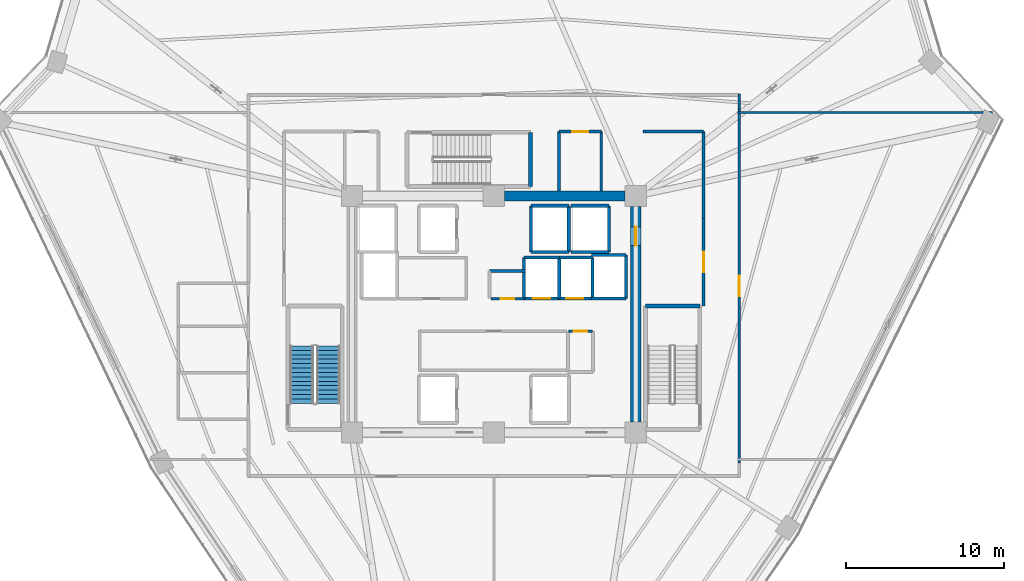
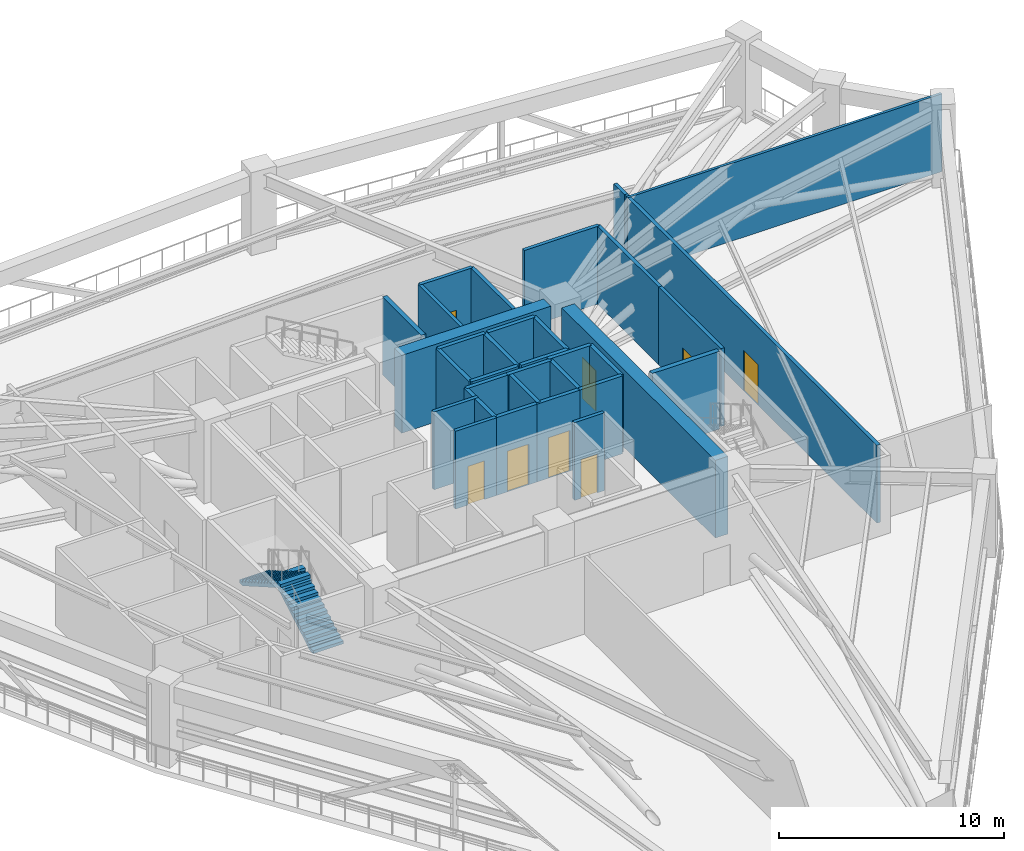
# One storey, part 16 of 22: 33 walls, 8 doors, 2 stair flights, 8 openings, 1 element without a shape of its own.
"""IFC4 building model written with IfcOpenShell, lengths in metres."""

from ifc_helpers import new_model, si_unit, direction, frame, frame_2d, origin, place, context, subcontext, project, spatial, polyline, rectangle, outline, extrude, source, transform, mapped, material, layer, layer_set, type_object, element, fill, aggregate, save


model = new_model("IFC4")

# Units and contexts
model_context = context("Model", 3, precision=1e-05, world=origin(), true_north=direction((0.0, 1.0)))
body_context = subcontext(model_context, "Body", "Model", "MODEL_VIEW")
ifc_project = project(units=[si_unit("LENGTHUNIT", "METRE"), si_unit("AREAUNIT", "SQUARE_METRE"), si_unit("VOLUMEUNIT", "CUBIC_METRE"), si_unit("PLANEANGLEUNIT", "RADIAN"), si_unit("MASSUNIT", "GRAM", prefix="KILO")], contexts=[model_context])

# Site, building, storey
site_placement = place(None, origin())
site = spatial("IfcSite", under=ifc_project, at=site_placement, CompositionType="ELEMENT")
building_placement = place(site_placement, origin())
building = spatial("IfcBuilding", under=site, at=building_placement, Name="Liaohun Quay Tower", CompositionType="ELEMENT")
storey_placement = place(building_placement, frame((0.0, 0.0, 277.5)))
storey = spatial("IfcBuildingStorey", under=building, at=storey_placement, Name="L72", CompositionType="ELEMENT", Elevation=277.5)

# Wall
ifc_material_1 = material(Name="Concrete C55", Category="concrete")
ifc_layer_1 = layer(ifc_material_1, 0.64990234375, Name="Concrete C55", Category="concrete")
ifc_layer_set_1 = layer_set([ifc_layer_1], Name="Concrete C55")
wall_type_1 = type_object("IfcWallType", Name="WAL-COR-Z3", PredefinedType="SHEAR", material=ifc_layer_set_1)
wall_1_placement = place(storey_placement, frame((60.675048828125, 61.5, 0.0), z_axis=(0.0, 0.0, 1.0), x_axis=(1.0, 0.0, 0.0)))
element("IfcWall", 1, at=wall_1_placement, inside=storey, type_object=wall_type_1, Name="L72 Central Core Shear Wall N-E", PredefinedType="SHEAR", context=body_context, shape_type="SweptSolid", body=[
    extrude(rectangle(XDim=7.64990234375, YDim=0.64990234375, at=frame_2d((3.824951171875, 0.0))), origin(), (0.0, 0.0, 1.0), 4.219970703125),
])

# Wall, opening, door
wall_2_placement = place(storey_placement, frame((69.0, 60.824951171875, 0.0), z_axis=(0.0, 0.0, 1.0), x_axis=(0.0, -1.0, 0.0)))
wall_2 = element("IfcWall", 2, at=wall_2_placement, inside=storey, type_object=wall_type_1, Name="L72 Central Core Shear Wall E", PredefinedType="SHEAR", context=body_context, shape_type="SweptSolid", body=[
    extrude(rectangle(XDim=13.64990234375, YDim=0.64990234375, at=frame_2d((6.824951171875, 0.0))), origin(), (0.0, 0.0, 1.0), 4.219970703125),
])
shared_shape_1 = source(origin(), body_context, "Body", "SweptSolid", [
    extrude(rectangle(XDim=1.199951171875, YDim=2.199951171875, at=frame_2d((0.60009765625, 1.10009765625))), frame((0.0, 0.3349609375, 0.0), z_axis=(0.0, -1.0, 0.0), x_axis=(1.0, 0.0, 0.0)), (0.0, 0.0, 1.0), 0.669921875),
])
opening_1_placement = place(wall_2_placement, frame((1.27490234375, 0.0, 0.0)))
opening_1 = element("IfcOpeningElement", 3, at=opening_1_placement, cuts=wall_2, Name="Opening SD1", PredefinedType="OPENING", context=body_context, shape_type="MappedRepresentation", body=[
    mapped(shared_shape_1, transform((0.0, 0.0, 0.0), x_axis=(1.0, 0.0, 0.0), y_axis=(0.0, 1.0, 0.0), z_axis=(0.0, 0.0, 1.0), scale=1.0)),
])
ifc_material_2 = material(Name="Galvanised steel fire door", Category="steel")
door_type_1 = type_object("IfcDoorType", Name="DOR-STR-1200", OperationType="NOTDEFINED", PredefinedType="DOOR", material=ifc_material_2)
shared_shape_2 = source(origin(), body_context, "Body", "SweptSolid", [
    extrude(rectangle(XDim=1.199951171875, YDim=2.199951171875, at=frame_2d((0.60009765625, 1.10009765625))), frame((0.0, 0.02490234375, 0.0), z_axis=(0.0, -1.0, 0.0), x_axis=(1.0, 0.0, 0.0)), (0.0, 0.0, 1.0), 0.050048828125),
])
door_1_placement = place(opening_1_placement, origin())
door_1 = element("IfcDoor", 4, at=door_1_placement, inside=storey, type_object=door_type_1, Name="L72 North-East Core Lobby Smokeproof Door", OperationType="SINGLE_SWING_LEFT", OverallHeight=2.199951171875, OverallWidth=1.199951171875, PredefinedType="DOOR", context=body_context, shape_type="MappedRepresentation", body=[
    mapped(shared_shape_2, transform((0.0, 0.0, 0.0), x_axis=(1.0, 0.0, 0.0), y_axis=(0.0, 1.0, 0.0), z_axis=(0.0, 0.0, 1.0), scale=1.0)),
])
fill(opening_1, door_1)

ifc_material_3 = material(Name="Autoclaved aerated concrete blockwork", Category="masonry")
ifc_layer_2 = layer(ifc_material_3, 0.179931640625, Name="Autoclaved aerated concrete blockwork", Category="masonry")
ifc_layer_set_2 = layer_set([ifc_layer_2], Name="Autoclaved aerated concrete blockwork")
wall_type_2 = type_object("IfcWallType", Name="WAL-PRT-COR", PredefinedType="PARTITIONING", material=ifc_layer_set_2)
wall_3_placement = place(storey_placement, frame((59.81005859375, 54.97998046875, 0.0), z_axis=(0.0, 0.0, 1.0), x_axis=(1.0, 0.0, 0.0)))
wall_3 = element("IfcWall", 5, at=wall_3_placement, inside=storey, type_object=wall_type_2, Name="L72 Interior Partition Wall 003", PredefinedType="PARTITIONING", context=body_context, shape_type="SweptSolid", body=[
    extrude(rectangle(XDim=2.08984375, YDim=0.179931640625, at=frame_2d((1.044921875, 0.0))), origin(), (0.0, 0.0, 1.0), 4.219970703125),
])
shared_shape_3 = source(origin(), body_context, "Body", "SweptSolid", [
    extrude(rectangle(XDim=0.85009765625, YDim=2.10009765625, at=frame_2d((0.425048828125, 1.050048828125))), frame((0.0, 0.099853515625, 0.0), z_axis=(0.0, -1.0, 0.0), x_axis=(1.0, 0.0, 0.0)), (0.0, 0.0, 1.0), 0.199951171875),
])
opening_2_placement = place(wall_3_placement, frame((0.635009765625, 0.0, 0.0)))
opening_2 = element("IfcOpeningElement", 6, at=opening_2_placement, cuts=wall_3, Name="Opening AD1", PredefinedType="OPENING", context=body_context, shape_type="MappedRepresentation", body=[
    mapped(shared_shape_3, transform((0.0, 0.0, 0.0), x_axis=(1.0, 0.0, 0.0), y_axis=(0.0, 1.0, 0.0), z_axis=(0.0, 0.0, 1.0), scale=1.0)),
])
ifc_material_4 = material(Name="Steel riser inspection fire door", Category="steel")
door_type_2 = type_object("IfcDoorType", Name="DOR-SHF-850", OperationType="NOTDEFINED", PredefinedType="DOOR", material=ifc_material_4)
shared_shape_4 = source(origin(), body_context, "Body", "SweptSolid", [
    extrude(rectangle(XDim=0.85009765625, YDim=2.10009765625, at=frame_2d((0.425048828125, 1.050048828125))), frame((0.0, 0.02490234375, 0.0), z_axis=(0.0, -1.0, 0.0), x_axis=(1.0, 0.0, 0.0)), (0.0, 0.0, 1.0), 0.050048828125),
])
door_2_placement = place(opening_2_placement, origin())
door_2 = element("IfcDoor", 7, at=door_2_placement, inside=storey, type_object=door_type_2, Name="L72 Electrical Meter Room Door", OperationType="SINGLE_SWING_LEFT", OverallHeight=2.10009765625, OverallWidth=0.85009765625, PredefinedType="DOOR", context=body_context, shape_type="MappedRepresentation", body=[
    mapped(shared_shape_4, transform((0.0, 0.0, 0.0), x_axis=(1.0, 0.0, 0.0), y_axis=(0.0, 1.0, 0.0), z_axis=(0.0, 0.0, 1.0), scale=1.0)),
])
fill(opening_2, door_2)

wall_4_placement = place(storey_placement, frame((64.719970703125, 52.919921875, 0.0), z_axis=(0.0, 0.0, 1.0), x_axis=(1.0, 0.0, 0.0)))
wall_4 = element("IfcWall", 8, at=wall_4_placement, inside=storey, type_object=wall_type_2, Name="L72 Interior Partition Wall 004", PredefinedType="PARTITIONING", context=body_context, shape_type="SweptSolid", body=[
    extrude(rectangle(XDim=1.530029296875, YDim=0.179931640625, at=frame_2d((0.76513671875, 0.0))), origin(), (0.0, 0.0, 1.0), 4.219970703125),
])
opening_3_placement = place(wall_4_placement, frame((0.340087890625, 0.0, 0.0)))
opening_3 = element("IfcOpeningElement", 9, at=opening_3_placement, cuts=wall_4, Name="Opening AD1", PredefinedType="OPENING", context=body_context, shape_type="MappedRepresentation", body=[
    mapped(shared_shape_3, transform((0.0, 0.0, 0.0), x_axis=(1.0, 0.0, 0.0), y_axis=(0.0, 1.0, 0.0), z_axis=(0.0, 0.0, 1.0), scale=1.0)),
])
door_3_placement = place(opening_3_placement, origin())
door_3 = element("IfcDoor", 10, at=door_3_placement, inside=storey, type_object=door_type_2, Name="L72 BMS Data Riser Room Door", OperationType="SINGLE_SWING_RIGHT", OverallHeight=2.10009765625, OverallWidth=0.85009765625, PredefinedType="DOOR", context=body_context, shape_type="MappedRepresentation", body=[
    mapped(shared_shape_4, transform((0.0, 0.0, 0.0), x_axis=(1.0, 0.0, 0.0), y_axis=(0.0, 1.0, 0.0), z_axis=(0.0, 0.0, 1.0), scale=1.0)),
])
fill(opening_3, door_3)

wall_5_placement = place(storey_placement, frame((64.139892578125, 65.580078125, 0.0), z_axis=(0.0, 0.0, 1.0), x_axis=(1.0, 0.0, 0.0)))
wall_5 = element("IfcWall", 11, at=wall_5_placement, inside=storey, type_object=wall_type_2, Name="L72 Interior Partition Wall 009", PredefinedType="PARTITIONING", context=body_context, shape_type="SweptSolid", body=[
    extrude(rectangle(XDim=2.670166015625, YDim=0.179931640625, at=frame_2d((1.3349609375, 0.0))), origin(), (0.0, 0.0, 1.0), 4.219970703125),
])
shared_shape_5 = source(origin(), body_context, "Body", "SweptSolid", [
    extrude(rectangle(XDim=1.0, YDim=2.199951171875, at=frame_2d((0.5, 1.10009765625))), frame((0.0, 0.099853515625, 0.0), z_axis=(0.0, -1.0, 0.0), x_axis=(1.0, 0.0, 0.0)), (0.0, 0.0, 1.0), 0.199951171875),
])
opening_4_placement = place(wall_5_placement, frame((0.8349609375, 0.0, 0.0)))
opening_4 = element("IfcOpeningElement", 12, at=opening_4_placement, cuts=wall_5, Name="Opening OD1", PredefinedType="OPENING", context=body_context, shape_type="MappedRepresentation", body=[
    mapped(shared_shape_5, transform((0.0, 0.0, 0.0), x_axis=(1.0, 0.0, 0.0), y_axis=(0.0, 1.0, 0.0), z_axis=(0.0, 0.0, 1.0), scale=1.0)),
])
ifc_material_5 = material(Name="Solid-core oak veneer timber leaf in steel frame", Category="steel")
door_type_3 = type_object("IfcDoorType", Name="DOR-OFF-1000", OperationType="NOTDEFINED", PredefinedType="DOOR", material=ifc_material_5)
shared_shape_6 = source(origin(), body_context, "Body", "SweptSolid", [
    extrude(rectangle(XDim=1.0, YDim=2.199951171875, at=frame_2d((0.5, 1.10009765625))), frame((0.0, 0.02490234375, 0.0), z_axis=(0.0, -1.0, 0.0), x_axis=(1.0, 0.0, 0.0)), (0.0, 0.0, 1.0), 0.050048828125),
])
door_4_placement = place(opening_4_placement, origin())
door_4 = element("IfcDoor", 13, at=door_4_placement, inside=storey, type_object=door_type_3, Name="L72 North-East Server Closet Door", OperationType="SINGLE_SWING_LEFT", OverallHeight=2.199951171875, OverallWidth=1.0, PredefinedType="DOOR", context=body_context, shape_type="MappedRepresentation", body=[
    mapped(shared_shape_6, transform((0.0, 0.0, 0.0), x_axis=(1.0, 0.0, 0.0), y_axis=(0.0, 1.0, 0.0), z_axis=(0.0, 0.0, 1.0), scale=1.0)),
])
fill(opening_4, door_4)

wall_6_placement = place(storey_placement, frame((73.300048828125, 54.5400390625, 0.0), z_axis=(0.0, 0.0, 1.0), x_axis=(0.0, 1.0, 0.0)))
wall_6 = element("IfcWall", 14, at=wall_6_placement, inside=storey, type_object=wall_type_2, Name="L72 Interior Partition Wall 011", PredefinedType="PARTITIONING", context=body_context, shape_type="SweptSolid", body=[
    extrude(rectangle(XDim=5.52001953125, YDim=0.179931640625, at=frame_2d((2.760009765625, 0.0))), origin(), (0.0, 0.0, 1.0), 4.219970703125),
])
shared_shape_7 = source(origin(), body_context, "Body", "SweptSolid", [
    extrude(rectangle(XDim=1.300048828125, YDim=2.199951171875, at=frame_2d((0.64990234375, 1.10009765625))), frame((0.0, 0.099853515625, 0.0), z_axis=(0.0, -1.0, 0.0), x_axis=(1.0, 0.0, 0.0)), (0.0, 0.0, 1.0), 0.199951171875),
])
opening_5_placement = place(wall_6_placement, frame((2.110107421875, 0.0, 0.0)))
opening_5 = element("IfcOpeningElement", 15, at=opening_5_placement, cuts=wall_6, Name="Opening FD1", PredefinedType="OPENING", context=body_context, shape_type="MappedRepresentation", body=[
    mapped(shared_shape_7, transform((0.0, 0.0, 0.0), x_axis=(1.0, 0.0, 0.0), y_axis=(0.0, 1.0, 0.0), z_axis=(0.0, 0.0, 1.0), scale=1.0)),
])
ifc_material_6 = material(Name="Galvanised steel smokeproof fire door", Category="steel")
door_type_4 = type_object("IfcDoorType", Name="DOR-FFL-1300", OperationType="NOTDEFINED", PredefinedType="DOOR", material=ifc_material_6)
shared_shape_8 = source(origin(), body_context, "Body", "SweptSolid", [
    extrude(rectangle(XDim=1.300048828125, YDim=2.199951171875, at=frame_2d((0.64990234375, 1.10009765625))), frame((0.0, 0.02490234375, 0.0), z_axis=(0.0, -1.0, 0.0), x_axis=(1.0, 0.0, 0.0)), (0.0, 0.0, 1.0), 0.050048828125),
])
door_5_placement = place(opening_5_placement, origin())
door_5 = element("IfcDoor", 16, at=door_5_placement, inside=storey, type_object=door_type_4, Name="L72 East Core Vestibule Door", OperationType="SINGLE_SWING_LEFT", OverallHeight=2.199951171875, OverallWidth=1.300048828125, PredefinedType="DOOR", context=body_context, shape_type="MappedRepresentation", body=[
    mapped(shared_shape_8, transform((0.0, 0.0, 0.0), x_axis=(1.0, 0.0, 0.0), y_axis=(0.0, 1.0, 0.0), z_axis=(0.0, 0.0, 1.0), scale=1.0)),
])
fill(opening_5, door_5)

wall_7_placement = place(storey_placement, frame((75.56005859375, 67.014892578125, 0.0), z_axis=(0.0, 0.0, 1.0), x_axis=(0.0, -1.0, 0.0)))
wall_7 = element("IfcWall", 17, at=wall_7_placement, inside=storey, type_object=wall_type_2, Name="L72 Interior Partition Wall 012", PredefinedType="PARTITIONING", context=body_context, shape_type="SweptSolid", body=[
    extrude(rectangle(XDim=22.429931640625, YDim=0.179931640625, at=frame_2d((11.21484375, 0.0))), origin(), (0.0, 0.0, 1.0), 4.219970703125),
])
opening_6_placement = place(wall_7_placement, frame((10.56494140625, 0.0, 0.0)))
opening_6 = element("IfcOpeningElement", 18, at=opening_6_placement, cuts=wall_7, Name="Opening FD1", PredefinedType="OPENING", context=body_context, shape_type="MappedRepresentation", body=[
    mapped(shared_shape_7, transform((0.0, 0.0, 0.0), x_axis=(1.0, 0.0, 0.0), y_axis=(0.0, 1.0, 0.0), z_axis=(0.0, 0.0, 1.0), scale=1.0)),
])
door_6_placement = place(opening_6_placement, origin())
door_6 = element("IfcDoor", 19, at=door_6_placement, inside=storey, type_object=door_type_4, Name="L72 South Pressurised Fire Refuge Area Door", OperationType="SINGLE_SWING_RIGHT", OverallHeight=2.199951171875, OverallWidth=1.300048828125, PredefinedType="DOOR", context=body_context, shape_type="MappedRepresentation", body=[
    mapped(shared_shape_8, transform((0.0, 0.0, 0.0), x_axis=(1.0, 0.0, 0.0), y_axis=(0.0, 1.0, 0.0), z_axis=(0.0, 0.0, 1.0), scale=1.0)),
])
fill(opening_6, door_6)

# Walls
wall_8_placement = place(storey_placement, frame((59.719970703125, 56.75, 0.0), z_axis=(0.0, 0.0, 1.0), x_axis=(1.0, 0.0, 0.0)))
element("IfcWall", 20, at=wall_8_placement, inside=storey, type_object=wall_type_2, Name="L72 Interior Partition Wall 018", PredefinedType="PARTITIONING", context=body_context, shape_type="SweptSolid", body=[
    extrude(rectangle(XDim=2.2900390625, YDim=0.179931640625, at=frame_2d((1.14501953125, 0.0))), origin(), (0.0, 0.0, 1.0), 4.219970703125),
])
for number, where, z_axis, x_axis, name in (
    (21, (64.139892578125, 61.824951171875, 0.0), (0.0, 0.0, 1.0), (0.0, 1.0, 0.0), "L72 Interior Partition Wall 029"),
    (22, (66.81005859375, 61.824951171875, 0.0), (0.0, 0.0, 1.0), (0.0, 1.0, 0.0), "L72 Interior Partition Wall 030"),
):
    element("IfcWall", number, at=place(storey_placement, frame(where, z_axis=z_axis, x_axis=x_axis)), inside=storey, type_object=wall_type_2, Name=name, PredefinedType="PARTITIONING", context=body_context, shape_type="SweptSolid", body=[
        extrude(rectangle(XDim=3.755126953125, YDim=0.179931640625, at=frame_2d((1.87744140625, 0.0))), origin(), (0.0, 0.0, 1.0), 4.219970703125),
    ])
wall_9_placement = place(storey_placement, frame((69.4599609375, 65.580078125, 0.0), z_axis=(0.0, 0.0, 1.0), x_axis=(1.0, 0.0, 0.0)))
element("IfcWall", 23, at=wall_9_placement, inside=storey, type_object=wall_type_2, Name="L72 Interior Partition Wall 032", PredefinedType="PARTITIONING", context=body_context, shape_type="SweptSolid", body=[
    extrude(rectangle(XDim=3.840087890625, YDim=0.179931640625, at=frame_2d((1.919921875, 0.0))), origin(), (0.0, 0.0, 1.0), 4.219970703125),
])
wall_10_placement = place(storey_placement, frame((73.300048828125, 60.06005859375, 0.0), z_axis=(0.0, 0.0, 1.0), x_axis=(0.0, 1.0, 0.0)))
element("IfcWall", 24, at=wall_10_placement, inside=storey, type_object=wall_type_2, Name="L72 Interior Partition Wall 034", PredefinedType="PARTITIONING", context=body_context, shape_type="SweptSolid", body=[
    extrude(rectangle(XDim=5.52001953125, YDim=0.179931640625, at=frame_2d((2.760009765625, 0.0))), origin(), (0.0, 0.0, 1.0), 4.219970703125),
])
wall_11_placement = place(storey_placement, frame((75.56005859375, 67.97998046875, 0.0), z_axis=(0.0, 0.0, 1.0), x_axis=(0.0, -1.0, 0.0)))
element("IfcWall", 25, at=wall_11_placement, inside=storey, type_object=wall_type_2, Name="L72 Interior Partition Wall 036", PredefinedType="PARTITIONING", context=body_context, shape_type="SweptSolid", body=[
    extrude(rectangle(XDim=0.965087890625, YDim=0.179931640625, at=frame_2d((0.482421875, 0.0))), origin(), (0.0, 0.0, 1.0), 4.219970703125),
])
ifc_material_7 = material(Name="Gypsum board on twin steel studs", Category="steel")
ifc_layer_3 = layer(ifc_material_7, 0.139892578125, Name="Gypsum board on twin steel studs", Category="steel")
ifc_layer_set_3 = layer_set([ifc_layer_3], Name="Gypsum board on twin steel studs")
wall_type_3 = type_object("IfcWallType", Name="WAL-PRT-OFF", PredefinedType="PARTITIONING", material=ifc_layer_set_3)
wall_12_placement = place(storey_placement, frame((75.4599609375, 66.800048828125, 0.0), z_axis=(0.0, 0.0, 1.0), x_axis=(1.0, 0.0, 0.0)))
element("IfcWall", 26, at=wall_12_placement, inside=storey, type_object=wall_type_3, Name="L72 Interior Partition Wall 043", PredefinedType="PARTITIONING", context=body_context, shape_type="SweptSolid", body=[
    extrude(rectangle(XDim=16.14501953125, YDim=0.139892578125, at=frame_2d((8.072509765625, 0.0))), origin(), (0.0, 0.0, 1.0), 4.219970703125),
])
ifc_material_8 = material(Name="Concrete C50", Category="concrete")
ifc_layer_4 = layer(ifc_material_8, 0.239990234375, Name="Concrete C50", Category="concrete")
ifc_layer_set_4 = layer_set([ifc_layer_4], Name="Concrete C50")
wall_type_4 = type_object("IfcWallType", Name="WAL-SHF-200", PredefinedType="SOLIDWALL", material=ifc_layer_set_4)
for number, where, z_axis, x_axis, name in (
    (27, (73.06005859375, 54.52001953125, 0.0), (0.0, 0.0, 1.0), (-1.0, 0.0, 0.0), "L72 Stairwell ST-2 Structural Core Wall N"),
    (28, (62.320068359375, 62.10009765625, 0.0), (0.0, 0.0, 1.0), (0.0, 1.0, 0.0), "L72 Stairwell ST-3 Structural Core Wall E"),
):
    element("IfcWall", number, at=place(storey_placement, frame(where, z_axis=z_axis, x_axis=x_axis)), inside=storey, type_object=wall_type_4, Name=name, PredefinedType="SOLIDWALL", context=body_context, shape_type="SweptSolid", body=[
        extrude(rectangle(XDim=3.43994140625, YDim=0.239990234375, at=frame_2d((1.719970703125, 0.0))), origin(), (0.0, 0.0, 1.0), 4.219970703125),
    ])
wall_13_placement = place(storey_placement, frame((62.35009765625, 57.949951171875, 0.0), z_axis=(0.0, 0.0, 1.0), x_axis=(1.0, 0.0, 0.0)))
element("IfcWall", 29, at=wall_13_placement, inside=storey, type_object=wall_type_4, Name="L72 Lift OB-01 Hoistway Wall S", PredefinedType="SOLIDWALL", context=body_context, shape_type="SweptSolid", body=[
    extrude(rectangle(XDim=2.39990234375, YDim=0.199951171875, at=frame_2d((1.199951171875, 0.0))), origin(), (0.0, 0.0, 1.0), 4.219970703125),
])
wall_14_placement = place(storey_placement, frame((64.75, 57.949951171875, 0.0), z_axis=(0.0, 0.0, 1.0), x_axis=(0.0, 1.0, 0.0)))
element("IfcWall", 30, at=wall_14_placement, inside=storey, type_object=wall_type_4, Name="L72 Lift OB-01 Hoistway Wall E", PredefinedType="SOLIDWALL", context=body_context, shape_type="SweptSolid", body=[
    extrude(rectangle(XDim=2.929931640625, YDim=0.199951171875, at=frame_2d((1.46484375, 0.0))), origin(), (0.0, 0.0, 1.0), 4.219970703125),
])
wall_15_placement = place(storey_placement, frame((64.75, 60.8798828125, 0.0), z_axis=(0.0, 0.0, 1.0), x_axis=(-1.0, 0.0, 0.0)))
element("IfcWall", 31, at=wall_15_placement, inside=storey, type_object=wall_type_4, Name="L72 Lift OB-01 Hoistway Wall N", PredefinedType="SOLIDWALL", context=body_context, shape_type="SweptSolid", body=[
    extrude(rectangle(XDim=2.39990234375, YDim=0.199951171875, at=frame_2d((1.199951171875, 0.0))), origin(), (0.0, 0.0, 1.0), 4.219970703125),
])
wall_16_placement = place(storey_placement, frame((62.35009765625, 60.8798828125, 0.0), z_axis=(0.0, 0.0, 1.0), x_axis=(0.0, -1.0, 0.0)))
element("IfcWall", 32, at=wall_16_placement, inside=storey, type_object=wall_type_4, Name="L72 Lift OB-01 Hoistway Wall W", PredefinedType="SOLIDWALL", context=body_context, shape_type="SweptSolid", body=[
    extrude(rectangle(XDim=2.929931640625, YDim=0.199951171875, at=frame_2d((1.46484375, 0.0))), origin(), (0.0, 0.0, 1.0), 4.219970703125),
])
wall_17_placement = place(storey_placement, frame((64.89990234375, 57.949951171875, 0.0), z_axis=(0.0, 0.0, 1.0), x_axis=(1.0, 0.0, 0.0)))
element("IfcWall", 33, at=wall_17_placement, inside=storey, type_object=wall_type_4, Name="L72 Lift OB-02 Hoistway Wall S", PredefinedType="SOLIDWALL", context=body_context, shape_type="SweptSolid", body=[
    extrude(rectangle(XDim=2.400146484375, YDim=0.199951171875, at=frame_2d((1.2001953125, 0.0))), origin(), (0.0, 0.0, 1.0), 4.219970703125),
])
wall_18_placement = place(storey_placement, frame((67.300048828125, 57.949951171875, 0.0), z_axis=(0.0, 0.0, 1.0), x_axis=(0.0, 1.0, 0.0)))
element("IfcWall", 34, at=wall_18_placement, inside=storey, type_object=wall_type_4, Name="L72 Lift OB-02 Hoistway Wall E", PredefinedType="SOLIDWALL", context=body_context, shape_type="SweptSolid", body=[
    extrude(rectangle(XDim=2.929931640625, YDim=0.199951171875, at=frame_2d((1.46484375, 0.0))), origin(), (0.0, 0.0, 1.0), 4.219970703125),
])
wall_19_placement = place(storey_placement, frame((67.300048828125, 60.8798828125, 0.0), z_axis=(0.0, 0.0, 1.0), x_axis=(-1.0, 0.0, 0.0)))
element("IfcWall", 35, at=wall_19_placement, inside=storey, type_object=wall_type_4, Name="L72 Lift OB-02 Hoistway Wall N", PredefinedType="SOLIDWALL", context=body_context, shape_type="SweptSolid", body=[
    extrude(rectangle(XDim=2.400146484375, YDim=0.199951171875, at=frame_2d((1.2001953125, 0.0))), origin(), (0.0, 0.0, 1.0), 4.219970703125),
])
wall_20_placement = place(storey_placement, frame((66.199951171875, 55.0, 0.0), z_axis=(0.0, 0.0, 1.0), x_axis=(1.0, 0.0, 0.0)))
element("IfcWall", 36, at=wall_20_placement, inside=storey, type_object=wall_type_4, Name="L72 Lift SH-03 Hoistway Wall S", PredefinedType="SOLIDWALL", context=body_context, shape_type="SweptSolid", body=[
    extrude(rectangle(XDim=2.179931640625, YDim=0.199951171875, at=frame_2d((1.08984375, 0.0))), origin(), (0.0, 0.0, 1.0), 4.219970703125),
])
wall_21_placement = place(storey_placement, frame((68.3798828125, 55.0, 0.0), z_axis=(0.0, 0.0, 1.0), x_axis=(0.0, 1.0, 0.0)))
element("IfcWall", 37, at=wall_21_placement, inside=storey, type_object=wall_type_4, Name="L72 Lift SH-03 Hoistway Wall E", PredefinedType="SOLIDWALL", context=body_context, shape_type="SweptSolid", body=[
    extrude(rectangle(XDim=2.75, YDim=0.199951171875, at=frame_2d((1.375, 0.0))), origin(), (0.0, 0.0, 1.0), 4.219970703125),
])
wall_22_placement = place(storey_placement, frame((68.3798828125, 57.75, 0.0), z_axis=(0.0, 0.0, 1.0), x_axis=(-1.0, 0.0, 0.0)))
element("IfcWall", 38, at=wall_22_placement, inside=storey, type_object=wall_type_4, Name="L72 Lift SH-03 Hoistway Wall N", PredefinedType="SOLIDWALL", context=body_context, shape_type="SweptSolid", body=[
    extrude(rectangle(XDim=2.179931640625, YDim=0.199951171875, at=frame_2d((1.08984375, 0.0))), origin(), (0.0, 0.0, 1.0), 4.219970703125),
])

# Wall, opening, door
wall_23_placement = place(storey_placement, frame((61.89990234375, 55.0, 0.0), z_axis=(0.0, 0.0, 1.0), x_axis=(1.0, 0.0, 0.0)))
wall_23 = element("IfcWall", 39, at=wall_23_placement, inside=storey, type_object=wall_type_4, Name="L72 Lift PL-3A Hoistway Wall S", PredefinedType="SOLIDWALL", context=body_context, shape_type="SweptSolid", body=[
    extrude(rectangle(XDim=2.25, YDim=0.199951171875, at=frame_2d((1.125, 0.0))), origin(), (0.0, 0.0, 1.0), 4.219970703125),
])
shared_shape_9 = source(origin(), body_context, "Body", "SweptSolid", [
    extrude(rectangle(XDim=1.10009765625, YDim=2.199951171875, at=frame_2d((0.550048828125, 1.10009765625))), frame((0.0, 0.10986328125, 0.0), z_axis=(0.0, -1.0, 0.0), x_axis=(1.0, 0.0, 0.0)), (0.0, 0.0, 1.0), 0.219970703125),
])
opening_7_placement = place(wall_23_placement, frame((0.574951171875, 0.0, 0.0)))
opening_7 = element("IfcOpeningElement", 40, at=opening_7_placement, cuts=wall_23, Name="Opening LD1", PredefinedType="OPENING", context=body_context, shape_type="MappedRepresentation", body=[
    mapped(shared_shape_9, transform((0.0, 0.0, 0.0), x_axis=(1.0, 0.0, 0.0), y_axis=(0.0, 1.0, 0.0), z_axis=(0.0, 0.0, 1.0), scale=1.0)),
])
ifc_material_9 = material(Name="Brushed stainless steel landing door", Category="steel")
door_type_5 = type_object("IfcDoorType", Name="DOR-LFT-1100", OperationType="SLIDING_TO_LEFT", PredefinedType="DOOR", material=ifc_material_9)
shared_shape_10 = source(origin(), body_context, "Body", "SweptSolid", [
    extrude(rectangle(XDim=1.10009765625, YDim=2.199951171875, at=frame_2d((0.550048828125, 1.10009765625))), frame((0.0, 0.02490234375, 0.0), z_axis=(0.0, -1.0, 0.0), x_axis=(1.0, 0.0, 0.0)), (0.0, 0.0, 1.0), 0.050048828125),
])
door_7_placement = place(opening_7_placement, origin())
door_7 = element("IfcDoor", 41, at=door_7_placement, inside=storey, type_object=door_type_5, Name="L72 Lift PL-3A Sliding Landing Door", OperationType="SLIDING_TO_LEFT", OverallHeight=2.199951171875, OverallWidth=1.10009765625, PredefinedType="DOOR", context=body_context, shape_type="MappedRepresentation", body=[
    mapped(shared_shape_10, transform((0.0, 0.0, 0.0), x_axis=(1.0, 0.0, 0.0), y_axis=(0.0, 1.0, 0.0), z_axis=(0.0, 0.0, 1.0), scale=1.0)),
])
fill(opening_7, door_7)

# Walls
wall_24_placement = place(storey_placement, frame((64.14990234375, 55.0, 0.0), z_axis=(0.0, 0.0, 1.0), x_axis=(0.0, 1.0, 0.0)))
element("IfcWall", 42, at=wall_24_placement, inside=storey, type_object=wall_type_4, Name="L72 Lift PL-3A Hoistway Wall E", PredefinedType="SOLIDWALL", context=body_context, shape_type="SweptSolid", body=[
    extrude(rectangle(XDim=2.60009765625, YDim=0.199951171875, at=frame_2d((1.300048828125, 0.0))), origin(), (0.0, 0.0, 1.0), 4.219970703125),
])
wall_25_placement = place(storey_placement, frame((64.14990234375, 57.60009765625, 0.0), z_axis=(0.0, 0.0, 1.0), x_axis=(-1.0, 0.0, 0.0)))
element("IfcWall", 43, at=wall_25_placement, inside=storey, type_object=wall_type_4, Name="L72 Lift PL-3A Hoistway Wall N", PredefinedType="SOLIDWALL", context=body_context, shape_type="SweptSolid", body=[
    extrude(rectangle(XDim=2.25, YDim=0.199951171875, at=frame_2d((1.125, 0.0))), origin(), (0.0, 0.0, 1.0), 4.219970703125),
])
wall_26_placement = place(storey_placement, frame((61.89990234375, 57.60009765625, 0.0), z_axis=(0.0, 0.0, 1.0), x_axis=(0.0, -1.0, 0.0)))
element("IfcWall", 44, at=wall_26_placement, inside=storey, type_object=wall_type_4, Name="L72 Lift PL-3A Hoistway Wall W", PredefinedType="SOLIDWALL", context=body_context, shape_type="SweptSolid", body=[
    extrude(rectangle(XDim=2.60009765625, YDim=0.199951171875, at=frame_2d((1.300048828125, 0.0))), origin(), (0.0, 0.0, 1.0), 4.219970703125),
])

# Wall, opening, door
wall_27_placement = place(storey_placement, frame((64.0, 55.0, 0.0), z_axis=(0.0, 0.0, 1.0), x_axis=(1.0, 0.0, 0.0)))
wall_27 = element("IfcWall", 45, at=wall_27_placement, inside=storey, type_object=wall_type_4, Name="L72 Lift PL-3B Hoistway Wall S", PredefinedType="SOLIDWALL", context=body_context, shape_type="SweptSolid", body=[
    extrude(rectangle(XDim=2.25, YDim=0.199951171875, at=frame_2d((1.125, 0.0))), origin(), (0.0, 0.0, 1.0), 4.219970703125),
])
opening_8_placement = place(wall_27_placement, frame((0.574951171875, 0.0, 0.0)))
opening_8 = element("IfcOpeningElement", 46, at=opening_8_placement, cuts=wall_27, Name="Opening LD1", PredefinedType="OPENING", context=body_context, shape_type="MappedRepresentation", body=[
    mapped(shared_shape_9, transform((0.0, 0.0, 0.0), x_axis=(1.0, 0.0, 0.0), y_axis=(0.0, 1.0, 0.0), z_axis=(0.0, 0.0, 1.0), scale=1.0)),
])
door_8_placement = place(opening_8_placement, origin())
door_8 = element("IfcDoor", 47, at=door_8_placement, inside=storey, type_object=door_type_5, Name="L72 Lift PL-3B Sliding Landing Door", OperationType="SLIDING_TO_LEFT", OverallHeight=2.199951171875, OverallWidth=1.10009765625, PredefinedType="DOOR", context=body_context, shape_type="MappedRepresentation", body=[
    mapped(shared_shape_10, transform((0.0, 0.0, 0.0), x_axis=(1.0, 0.0, 0.0), y_axis=(0.0, 1.0, 0.0), z_axis=(0.0, 0.0, 1.0), scale=1.0)),
])
fill(opening_8, door_8)

# Walls
wall_28_placement = place(storey_placement, frame((66.25, 55.0, 0.0), z_axis=(0.0, 0.0, 1.0), x_axis=(0.0, 1.0, 0.0)))
element("IfcWall", 48, at=wall_28_placement, inside=storey, type_object=wall_type_4, Name="L72 Lift PL-3B Hoistway Wall E", PredefinedType="SOLIDWALL", context=body_context, shape_type="SweptSolid", body=[
    extrude(rectangle(XDim=2.60009765625, YDim=0.199951171875, at=frame_2d((1.300048828125, 0.0))), origin(), (0.0, 0.0, 1.0), 4.219970703125),
])
wall_29_placement = place(storey_placement, frame((66.25, 57.60009765625, 0.0), z_axis=(0.0, 0.0, 1.0), x_axis=(-1.0, 0.0, 0.0)))
element("IfcWall", 49, at=wall_29_placement, inside=storey, type_object=wall_type_4, Name="L72 Lift PL-3B Hoistway Wall N", PredefinedType="SOLIDWALL", context=body_context, shape_type="SweptSolid", body=[
    extrude(rectangle(XDim=2.25, YDim=0.199951171875, at=frame_2d((1.125, 0.0))), origin(), (0.0, 0.0, 1.0), 4.219970703125),
])

# Stair, stair flights
ifc_material_10 = material(Name="Concrete C45", Category="concrete")
stair_type = type_object("IfcStairType", Name="STR-CORE-TALL", PredefinedType="HALF_TURN_STAIR", material=ifc_material_10)
stair_placement = place(storey_placement, origin())
stair = element("IfcStair", 50, at=stair_placement, inside=storey, type_object=stair_type, Name="L72 Smokeproof Core Exit Stair ST-1", PredefinedType="HALF_TURN_STAIR")
stair_flight_type = type_object("IfcStairFlightType", Name="FLT-CORE-155", PredefinedType="STRAIGHT", material=ifc_material_10)
stair_flight_1_placement = place(storey_placement, frame((49.5048828125, 48.35009765625, 0.0), z_axis=(0.0, 0.0, 1.0), x_axis=(0.0, 1.0, 0.0)))
stair_flight_1 = element("IfcStairFlight", 51, at=stair_flight_1_placement, type_object=stair_flight_type, Name="ST-1 flight 1", NumberOfRisers=14, NumberOfTreads=13, PredefinedType="STRAIGHT", RiserHeight=0.160714286, TreadLength=0.28, context=body_context, shape_type="SweptSolid", body=[
    extrude(outline(polyline([(0.0, 0.0), (0.0, 0.16064453125), (0.280029296875, 0.16064453125), (0.280029296875, 0.321533203125), (0.56005859375, 0.321533203125), (0.56005859375, 0.482177734375), (0.840087890625, 0.482177734375), (0.840087890625, 0.642822265625), (1.1201171875, 0.642822265625), (1.1201171875, 0.803466796875), (1.39990234375, 0.803466796875), (1.39990234375, 0.96435546875), (1.679931640625, 0.96435546875), (1.679931640625, 1.125), (1.9599609375, 1.125), (1.9599609375, 1.28564453125), (2.239990234375, 1.28564453125), (2.239990234375, 1.446533203125), (2.52001953125, 1.446533203125), (2.52001953125, 1.607177734375), (2.800048828125, 1.607177734375), (2.800048828125, 1.767822265625), (3.080078125, 1.767822265625), (3.080078125, 1.928466796875), (3.360107421875, 1.928466796875), (3.360107421875, 2.08935546875), (3.639892578125, 2.08935546875), (3.639892578125, 2.25), (3.639892578125, 1.91650390625), (0.301025390625, 0.0), (0.0, 0.0)])), frame((0.0, 0.77490234375, 0.0), z_axis=(0.0, -1.0, 0.0), x_axis=(1.0, 0.0, 0.0)), (0.0, 0.0, 1.0), 1.550048828125),
])
stair_flight_2_placement = place(storey_placement, frame((47.81494140625, 51.989990234375, 2.25), z_axis=(0.0, 0.0, 1.0), x_axis=(0.0, -1.0, 0.0)))
stair_flight_2 = element("IfcStairFlight", 52, at=stair_flight_2_placement, type_object=stair_flight_type, Name="ST-1 flight 2", NumberOfRisers=14, NumberOfTreads=13, PredefinedType="STRAIGHT", RiserHeight=0.160714286, TreadLength=0.28, context=body_context, shape_type="SweptSolid", body=[
    extrude(outline(polyline([(0.0, 0.0), (0.0, 0.16064453125), (0.280029296875, 0.16064453125), (0.280029296875, 0.321533203125), (0.56005859375, 0.321533203125), (0.56005859375, 0.482177734375), (0.840087890625, 0.482177734375), (0.840087890625, 0.642822265625), (1.1201171875, 0.642822265625), (1.1201171875, 0.803466796875), (1.39990234375, 0.803466796875), (1.39990234375, 0.96435546875), (1.679931640625, 0.96435546875), (1.679931640625, 1.125), (1.9599609375, 1.125), (1.9599609375, 1.28564453125), (2.239990234375, 1.28564453125), (2.239990234375, 1.446533203125), (2.52001953125, 1.446533203125), (2.52001953125, 1.607177734375), (2.800048828125, 1.607177734375), (2.800048828125, 1.767822265625), (3.080078125, 1.767822265625), (3.080078125, 1.928466796875), (3.360107421875, 1.928466796875), (3.360107421875, 2.08935546875), (3.639892578125, 2.08935546875), (3.639892578125, 2.25), (3.639892578125, 1.91650390625), (0.301025390625, 0.0), (0.0, 0.0)])), frame((0.0, 0.77490234375, 0.0), z_axis=(0.0, -1.0, 0.0), x_axis=(1.0, 0.0, 0.0)), (0.0, 0.0, 1.0), 1.550048828125),
])
aggregate(stair, [stair_flight_1, stair_flight_2])

save(model, "model.ifc")
